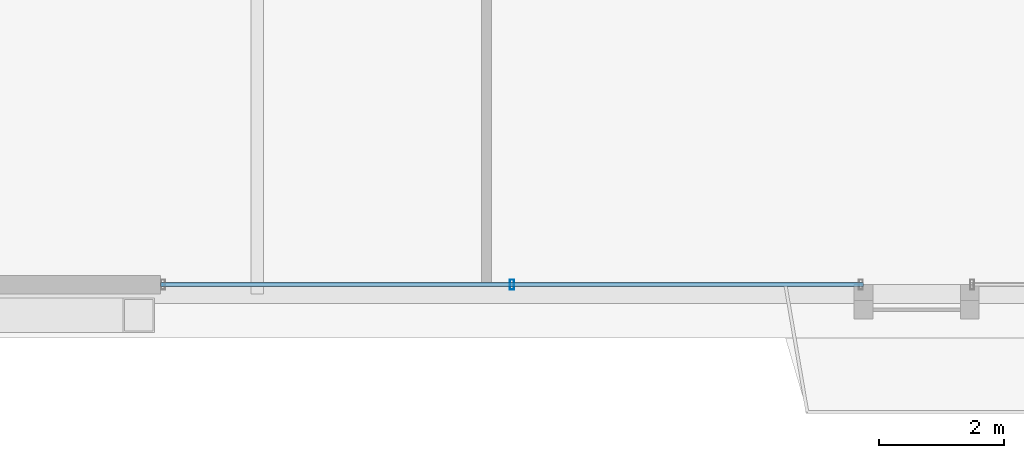
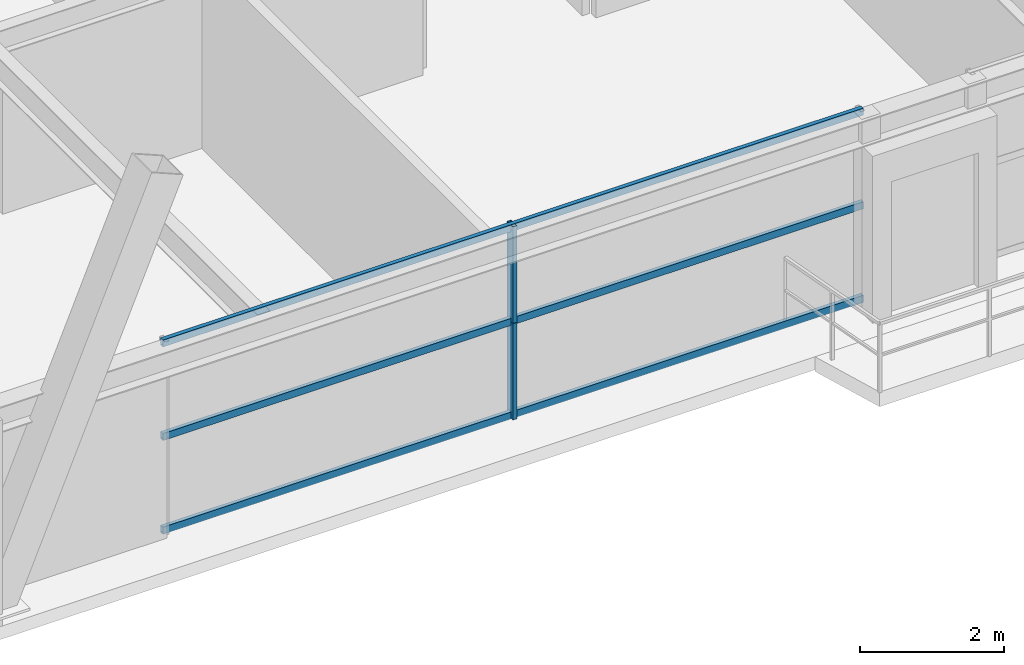
# One storey, part 6 of 42: 5 members, 1 element without a shape of its own.
"""IFC4 building model written with IfcOpenShell, lengths in metres."""

import ifcopenshell
import ifcopenshell.guid

model = None  # the IFC model being written
_history = None  # IfcOwnerHistory: only IFC2X3 demands one
_inside = {}  # id of a spatial element -> (the spatial element, [elements in it])
_under = {}  # id of a project, library or spatial element -> (it, [spatial elements below it])
_declared = {}  # id of a project -> (the project, [libraries it declares])
_typed = {}  # id of a type object -> (the type object, [elements of that type])
_made_of = {}  # id of a material, layer set ... -> (it, [elements and type objects made of it])


def new_model(schema):
    """Start an empty IFC model of exactly this schema.

    Asked for "IFC4X3", IfcOpenShell would pick the latest addendum, in which some entities
    have other attributes; the version numbers below select the first issue.
    IFC2X3 requires an IfcOwnerHistory on every rooted entity: one is made here for all.
    """
    global model, _history
    if schema == "IFC4X3":
        model = ifcopenshell.file(schema_version=(4, 3, 0, 0))
    else:
        model = ifcopenshell.file(schema=schema)
    _inside.clear()
    _under.clear()
    _declared.clear()
    _typed.clear()
    _made_of.clear()
    _history = None
    if model.schema == "IFC2X3":
        org = make("IfcOrganization", Name="unknown")
        user = make(
            "IfcPersonAndOrganization",
            ThePerson=make("IfcPerson", FamilyName="unknown"),
            TheOrganization=org,
        )
        app = make(
            "IfcApplication",
            ApplicationDeveloper=org,
            Version="unknown",
            ApplicationFullName="unknown",
            ApplicationIdentifier="unknown",
        )
        _history = make(
            "IfcOwnerHistory",
            OwningUser=user,
            OwningApplication=app,
            ChangeAction="ADDED",
            CreationDate=0,
        )
    return model


def make(cls, **values):
    """One entity of the class cls with the attributes given. An attribute that is None is left unset."""
    return model.create_entity(
        cls, **{name: value for name, value in values.items() if value is not None}
    )


def rooted(cls, **values):
    """An entity with a GlobalId (a new one), such as an element, a storey or a relation."""
    return make(cls, GlobalId=ifcopenshell.guid.new(), OwnerHistory=_history, **values)


def si_unit(unit_type, name, prefix=None):
    """IfcSIUnit, for example si_unit("LENGTHUNIT", "METRE", prefix="MILLI")."""
    return make("IfcSIUnit", UnitType=unit_type, Prefix=prefix, Name=name)


def assignment(units):
    """IfcUnitAssignment: the units of a project."""
    return None if units is None else make("IfcUnitAssignment", Units=units)


def point(xyz):
    """IfcCartesianPoint."""
    return None if xyz is None else make("IfcCartesianPoint", Coordinates=xyz)


def direction(xyz):
    """IfcDirection."""
    return None if xyz is None else make("IfcDirection", DirectionRatios=xyz)


def frame(location, z_axis=None, x_axis=None):
    """IfcAxis2Placement3D, a coordinate frame: its origin and axes. An axis left out is left unset."""
    return make(
        "IfcAxis2Placement3D",
        Location=point(location),
        Axis=direction(z_axis),
        RefDirection=direction(x_axis),
    )


def frame_2d(location, x_axis=None):
    """IfcAxis2Placement2D, a coordinate frame in the plane: its origin and x axis."""
    return make(
        "IfcAxis2Placement2D", Location=point(location), RefDirection=direction(x_axis)
    )


def origin():
    """The frame at (0, 0, 0) with its axes left unset."""
    return frame((0.0, 0.0, 0.0))


def origin_2d():
    """The frame at (0, 0) in the plane with its x axis left unset."""
    return frame_2d((0.0, 0.0))


def place(relative_to, where):
    """IfcLocalPlacement: puts the frame where relative to a parent placement (None: the world)."""
    return make(
        "IfcLocalPlacement", PlacementRelTo=relative_to, RelativePlacement=where
    )


def context(
    kind, dimensions, precision=None, world=None, true_north=None, identifier=None
):
    """IfcGeometricRepresentationContext, for example the 3D "Model" context."""
    return make(
        "IfcGeometricRepresentationContext",
        ContextIdentifier=identifier,
        ContextType=kind,
        CoordinateSpaceDimension=dimensions,
        Precision=precision,
        WorldCoordinateSystem=world,
        TrueNorth=true_north,
    )


def subcontext(parent, identifier, kind, view, scale=None):
    """IfcGeometricRepresentationSubContext, for example "Body" below "Model"."""
    return make(
        "IfcGeometricRepresentationSubContext",
        ContextIdentifier=identifier,
        ContextType=kind,
        ParentContext=parent,
        TargetScale=scale,
        TargetView=view,
    )


def project(units=None, contexts=None):
    """IfcProject with its units and contexts."""
    return rooted(
        "IfcProject",
        Name="project",
        RepresentationContexts=contexts,
        UnitsInContext=assignment(units),
    )


def spatial(cls, under=None, at=None, **own):
    """A site, building, storey or space (cls), placed at a placement, below another one or the project."""
    s = rooted(cls, ObjectPlacement=at, **own)
    if under is not None:
        _under.setdefault(under.id(), (under, []))[1].append(s)
    return s


def profile(cls, at=None, kind="AREA", **sizes):
    """A parametric profile (cls). Its sizes go by their IFC names, for example OverallWidth=200.0."""
    return make(cls, ProfileType=kind, Position=at, **sizes)


def hollow_rectangle(**sizes):
    """IfcRectangleHollowProfileDef."""
    return profile("IfcRectangleHollowProfileDef", **sizes)


def extrude(swept, where, along, depth):
    """IfcExtrudedAreaSolid: the profile swept, set in the frame where, extruded along a direction by depth."""
    return make(
        "IfcExtrudedAreaSolid",
        SweptArea=swept,
        Position=where,
        ExtrudedDirection=direction(along),
        Depth=depth,
    )


def shape(context_of_items, identifier, shape_type, items):
    """IfcShapeRepresentation: the items that make up one representation, for example the "Body"."""
    return make(
        "IfcShapeRepresentation",
        ContextOfItems=context_of_items,
        RepresentationIdentifier=identifier,
        RepresentationType=shape_type,
        Items=items,
    )


def source(mapping_origin, context_of_items, identifier, shape_type, items):
    """IfcRepresentationMap: a shape defined once, which mapped items show again and again."""
    return make(
        "IfcRepresentationMap",
        MappingOrigin=mapping_origin,
        MappedRepresentation=shape(context_of_items, identifier, shape_type, items),
    )


def transform(
    local_origin,
    x_axis=None,
    y_axis=None,
    z_axis=None,
    scale=None,
    scale2=None,
    scale3=None,
    uniform=True,
):
    """IfcCartesianTransformationOperator3D, or its non-uniform kind. x_axis, y_axis, z_axis: its Axis1, 2, 3."""
    if uniform:
        return make(
            "IfcCartesianTransformationOperator3D",
            Axis1=direction(x_axis),
            Axis2=direction(y_axis),
            LocalOrigin=point(local_origin),
            Scale=scale,
            Axis3=direction(z_axis),
        )
    return make(
        "IfcCartesianTransformationOperator3DnonUniform",
        Axis1=direction(x_axis),
        Axis2=direction(y_axis),
        LocalOrigin=point(local_origin),
        Scale=scale,
        Axis3=direction(z_axis),
        Scale2=scale2,
        Scale3=scale3,
    )


def mapped(mapping_source, mapping_target):
    """IfcMappedItem: shows the shape of a source again, moved by a transform."""
    return make(
        "IfcMappedItem", MappingSource=mapping_source, MappingTarget=mapping_target
    )


def material(Name=None, Category=None):
    """IfcMaterial."""
    return make("IfcMaterial", Name=Name, Category=Category)


def layer(
    of_material, thickness, ventilated=None, Name=None, Category=None, Priority=None
):
    """IfcMaterialLayer: one layer of a wall or slab, of a material (None: an air gap)."""
    return make(
        "IfcMaterialLayer",
        Material=of_material,
        LayerThickness=thickness,
        IsVentilated=ventilated,
        Name=Name,
        Category=Category,
        Priority=Priority,
    )


def layer_set(layers, Name=None):
    """IfcMaterialLayerSet."""
    return make("IfcMaterialLayerSet", MaterialLayers=layers, LayerSetName=Name)


def material_profile(
    of_material, cross_section, Name=None, Category=None, Priority=None
):
    """IfcMaterialProfile: a cross section and its material."""
    return make(
        "IfcMaterialProfile",
        Name=Name,
        Material=of_material,
        Profile=cross_section,
        Priority=Priority,
        Category=Category,
    )


def profile_set(profiles, Name=None, composite=None):
    """IfcMaterialProfileSet."""
    return make(
        "IfcMaterialProfileSet",
        Name=Name,
        MaterialProfiles=profiles,
        CompositeProfile=composite,
    )


def made_of(thing, what):
    """Note that an element or type object is made of a material, layer set ...; save() writes the relation."""
    if what is not None:
        _made_of.setdefault(what.id(), (what, []))[1].append(thing)
    return thing


def type_object(cls, material=None, **own):
    """A type object (cls), such as IfcWallType, which elements share."""
    return made_of(rooted(cls, **own), material)


def element(
    cls,
    number,
    at=None,
    inside=None,
    cuts=None,
    type_object=None,
    material=None,
    context=None,
    identifier="Body",
    shape_type=None,
    held_by="IfcProductDefinitionShape",
    body=None,
    shapes=None,
    **own,
):
    """One element of the class cls, such as IfcWall. Its Tag is "e" and its number.

    at: its placement. inside: the storey or other place that contains it. cuts: it is an
    opening in that element (IfcRelVoidsElement). A single representation is given by context,
    identifier, shape_type and body (its items); several are given by shapes. held_by: the class
    of the entity that holds the representations. save() writes the other relations.
    """
    e = rooted(cls, Tag="e%d" % number, ObjectPlacement=at, **own)
    if body is not None:
        shapes = [shape(context, identifier, shape_type, body)]
    if shapes is not None:
        e.Representation = make(held_by, Representations=shapes)
    if inside is not None:
        _inside.setdefault(inside.id(), (inside, []))[1].append(e)
    if cuts is not None:
        rooted(
            "IfcRelVoidsElement", RelatingBuildingElement=cuts, RelatedOpeningElement=e
        )
    if type_object is not None:
        _typed.setdefault(type_object.id(), (type_object, []))[1].append(e)
    return made_of(e, material)


def aggregate(whole, parts):
    """IfcRelAggregates: a whole, such as a stair, and the parts it consists of."""
    return rooted("IfcRelAggregates", RelatingObject=whole, RelatedObjects=parts)


def save(model, path):
    """Write the relations noted so far, then the file.

    IfcRelAggregates (storeys below a building ...), IfcRelContainedInSpatialStructure (elements
    in a storey), IfcRelDefinesByType, IfcRelAssociatesMaterial and IfcRelDeclares: one each for
    every whole, place, type object, material and project.
    """
    for whole, parts in _under.values():
        aggregate(whole, parts)
    for where, things in _inside.values():
        rooted(
            "IfcRelContainedInSpatialStructure",
            RelatedElements=things,
            RelatingStructure=where,
        )
    for kind, things in _typed.values():
        rooted("IfcRelDefinesByType", RelatedObjects=things, RelatingType=kind)
    for what, things in _made_of.values():
        rooted("IfcRelAssociatesMaterial", RelatedObjects=things, RelatingMaterial=what)
    for by, libraries in _declared.values():
        rooted("IfcRelDeclares", RelatingContext=by, RelatedDefinitions=libraries)
    model.write(path)


model = new_model("IFC4")

# Units and contexts
model_context = context("Model", 3, precision=1e-05, world=origin(), true_north=direction((0.0, 1.0)))
body_context = subcontext(model_context, "Body", "Model", "MODEL_VIEW")
ifc_project = project(units=[si_unit("LENGTHUNIT", "METRE"), si_unit("AREAUNIT", "SQUARE_METRE"), si_unit("VOLUMEUNIT", "CUBIC_METRE"), si_unit("PLANEANGLEUNIT", "RADIAN"), si_unit("MASSUNIT", "GRAM", prefix="KILO"), si_unit("THERMODYNAMICTEMPERATUREUNIT", "KELVIN"), si_unit("POWERUNIT", "WATT")], contexts=[model_context])

# Site, building, storey
site_placement = place(None, origin())
site = spatial("IfcSite", under=ifc_project, at=site_placement, CompositionType="ELEMENT")
building_placement = place(site_placement, origin())
building = spatial("IfcBuilding", under=site, at=building_placement, Name="Yuzanri Waterfront Tower", CompositionType="ELEMENT")
storey_placement = place(building_placement, frame((0.0, 0.0, 184.5)))
storey = spatial("IfcBuildingStorey", under=building, at=storey_placement, Name="L48", CompositionType="ELEMENT", Elevation=184.5)

# Curtain wall, members
ifc_material_1 = material(Name="Anodized Architectural Bronze", Category="metal")
ifc_layer = layer(ifc_material_1, 0.159912109375)
ifc_layer_set = layer_set([ifc_layer], Name="Anodized Architectural Bronze")
curtain_wall_type = type_object("IfcCurtainWallType", Name="Anodized Bronze Mid-Rise Residential Acoustic Unitized Curtain Wall 7200", PredefinedType="NOTDEFINED", material=ifc_layer_set)
curtain_wall_placement = place(storey_placement, origin())
curtain_wall = element("IfcCurtainWall", 1, at=curtain_wall_placement, inside=storey, type_object=curtain_wall_type, Name="L48 Curtain Wall CW-L48-SL1", PredefinedType="NOTDEFINED")
ifc_material_2 = material(Name="Anodized Architectural Bronze", Category="metal")
ifc_material_profile_1 = material_profile(ifc_material_2, hollow_rectangle(XDim=0.06494140625, YDim=0.159912109375, WallThickness=0.00341796875, at=origin_2d()), Name="CWM 65x160")
ifc_profile_set_1 = profile_set([ifc_material_profile_1], Name="Anodized Architectural Bronze")
member_type_1 = type_object("IfcMemberType", Name="Anodized Bronze Upper-Zone Curtain-Wall Mullion 65x160", PredefinedType="MULLION", material=ifc_profile_set_1)
shared_shape_1 = source(origin(), body_context, "Body", "SweptSolid", [
    extrude(hollow_rectangle(XDim=0.06494140625, YDim=0.159912109375, WallThickness=0.00341796875, at=origin_2d()), origin(), (0.0, 0.0, 1.0), 1.637939453125),
])
member_1_placement = place(storey_placement, frame((27.875, 3.85009765625, 0.0), z_axis=(0.0, 0.0, 1.0), x_axis=(1.0, 0.0, 0.0)))
member_1 = element("IfcMember", 2, at=member_1_placement, type_object=member_type_1, Name="CW-L48-SL1 Lower Mullion 01", PredefinedType="MULLION", context=body_context, shape_type="MappedRepresentation", body=[
    mapped(shared_shape_1, transform((0.0, 0.0, 0.0), scale=1.0)),
])
member_2_placement = place(storey_placement, frame((27.875, 3.85009765625, 1.64208984375), z_axis=(0.0, 0.0, 1.0), x_axis=(1.0, 0.0, 0.0)))
member_2 = element("IfcMember", 3, at=member_2_placement, type_object=member_type_1, Name="CW-L48-SL1 Upper Mullion 01", PredefinedType="MULLION", context=body_context, shape_type="MappedRepresentation", body=[
    mapped(shared_shape_1, transform((0.0, 0.0, 0.0), scale=1.0)),
])
ifc_material_3 = material(Name="Anodized Architectural Bronze", Category="metal")
ifc_material_profile_2 = material_profile(ifc_material_3, hollow_rectangle(XDim=0.06494140625, YDim=0.1201171875, WallThickness=0.00341796875, at=origin_2d()), Name="CWT 65x120")
ifc_profile_set_2 = profile_set([ifc_material_profile_2], Name="Anodized Architectural Bronze")
member_type_2 = type_object("IfcMemberType", Name="Anodized Bronze Secondary Curtain-Wall Transom 65x120", PredefinedType="USERDEFINED", material=ifc_profile_set_2)
shared_shape_2 = source(origin(), body_context, "Body", "SweptSolid", [
    extrude(hollow_rectangle(XDim=0.06494140625, YDim=0.1201171875, WallThickness=0.00341796875, at=origin_2d()), origin(), (0.0, 0.0, 1.0), 11.25),
])
member_3_placement = place(storey_placement, frame((22.25, 3.85009765625, 0.050048828125), z_axis=(1.0, 0.0, 0.0), x_axis=(0.0, 1.0, 0.0)))
member_3 = element("IfcMember", 4, at=member_3_placement, type_object=member_type_2, Name="CW-L48-SL1 Transom 1", ObjectType="TRANSOM", PredefinedType="USERDEFINED", context=body_context, shape_type="MappedRepresentation", body=[
    mapped(shared_shape_2, transform((0.0, 0.0, 0.0), scale=1.0)),
])
member_4_placement = place(storey_placement, frame((22.25, 3.85009765625, 1.639892578125), z_axis=(1.0, 0.0, 0.0), x_axis=(0.0, 1.0, 0.0)))
member_4 = element("IfcMember", 5, at=member_4_placement, type_object=member_type_2, Name="CW-L48-SL1 Transom 2", ObjectType="TRANSOM", PredefinedType="USERDEFINED", context=body_context, shape_type="MappedRepresentation", body=[
    mapped(shared_shape_2, transform((0.0, 0.0, 0.0), scale=1.0)),
])
member_5_placement = place(storey_placement, frame((22.25, 3.85009765625, 3.22998046875), z_axis=(1.0, 0.0, 0.0), x_axis=(0.0, 1.0, 0.0)))
member_5 = element("IfcMember", 6, at=member_5_placement, type_object=member_type_2, Name="CW-L48-SL1 Transom 3", ObjectType="TRANSOM", PredefinedType="USERDEFINED", context=body_context, shape_type="MappedRepresentation", body=[
    mapped(shared_shape_2, transform((0.0, 0.0, 0.0), scale=1.0)),
])
aggregate(curtain_wall, [member_1, member_2, member_3, member_4, member_5])

save(model, "model.ifc")
